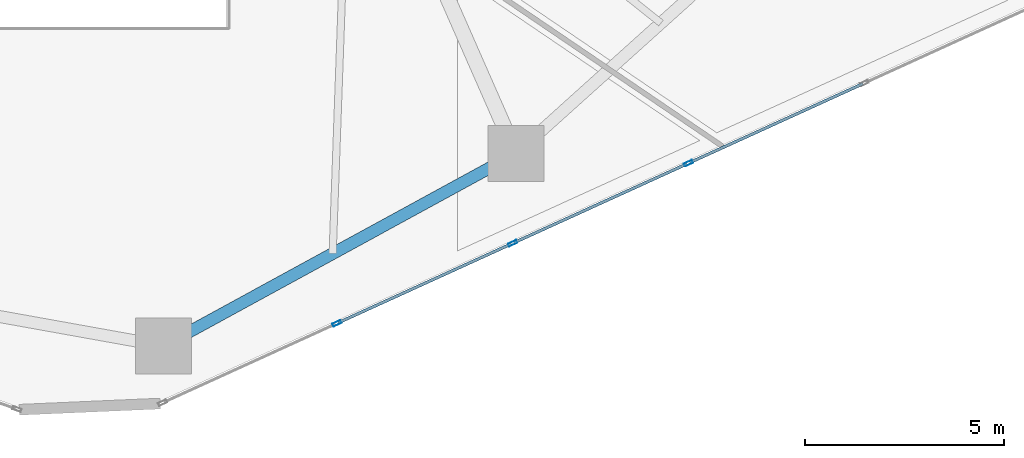
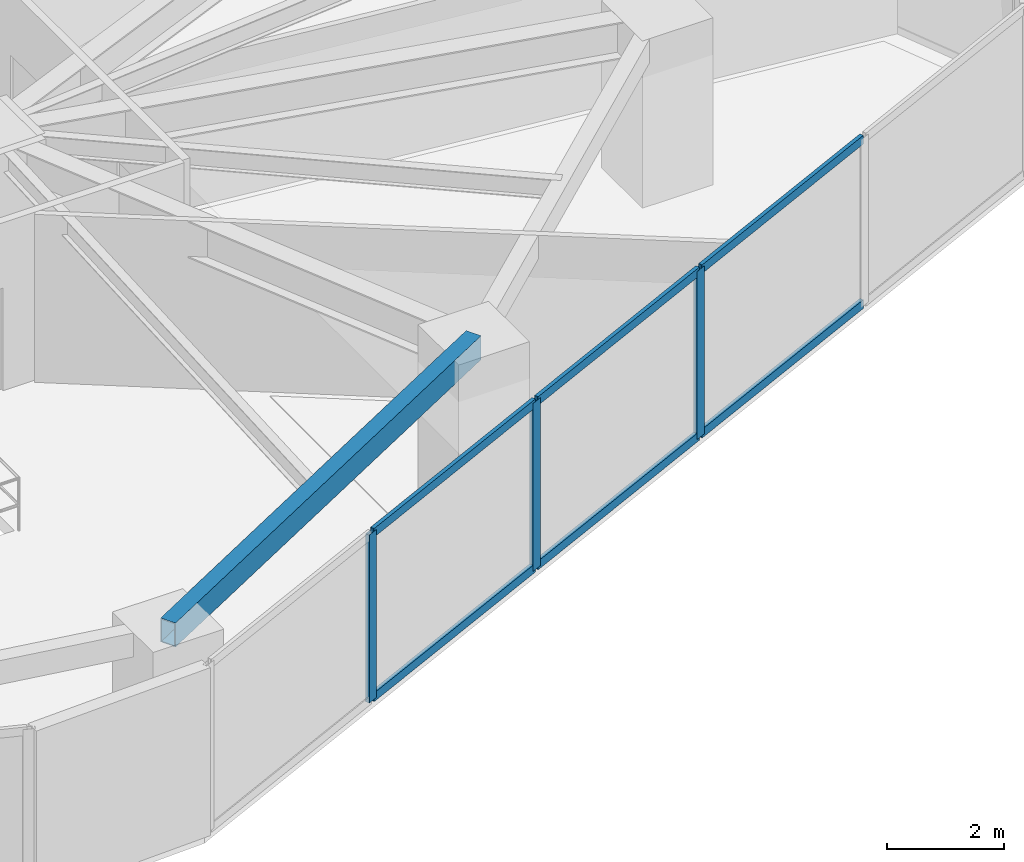
# One storey, part 9 of 24: 9 members, 1 beam, 1 element without a shape of its own.
"""IFC4 building model written with IfcOpenShell, lengths in metres."""

from ifc_helpers import new_model, si_unit, direction, frame, origin, origin_2d, place, context, subcontext, project, spatial, hollow_rectangle, extrude, source, transform, mapped, material, layer, layer_set, material_profile, profile_set, type_object, type_shapes, element, aggregate, save


model = new_model("IFC4")

# Units and contexts
model_context = context("Model", 3, precision=1e-05, world=origin(), true_north=direction((0.0, 1.0)))
body_context = subcontext(model_context, "Body", "Model", "MODEL_VIEW")
ifc_project = project(units=[si_unit("LENGTHUNIT", "METRE"), si_unit("AREAUNIT", "SQUARE_METRE"), si_unit("VOLUMEUNIT", "CUBIC_METRE"), si_unit("PLANEANGLEUNIT", "RADIAN"), si_unit("MASSUNIT", "GRAM", prefix="KILO")], contexts=[model_context])

# Site, building, storey
site_placement = place(None, origin())
site = spatial("IfcSite", under=ifc_project, at=site_placement, CompositionType="ELEMENT")
building_placement = place(site_placement, origin())
building = spatial("IfcBuilding", under=site, at=building_placement, Name="Talar Marvaseh", CompositionType="ELEMENT")
storey_placement = place(building_placement, frame((0.0, 0.0, 31.60009765625)))
storey = spatial("IfcBuildingStorey", under=building, at=storey_placement, Name="L07", CompositionType="ELEMENT", Elevation=31.60009765625)

# Beam
ifc_material_1 = material(Name="Steel S355", Category="steel")
ifc_material_profile_1 = material_profile(ifc_material_1, hollow_rectangle(XDim=0.300048828125, YDim=0.5, WallThickness=0.02001953125, at=origin_2d()), Name="RHS500x300x20")
ifc_profile_set_1 = profile_set([ifc_material_profile_1], Name="Steel S355")
beam_type = type_object("IfcBeamType", Name="Zone 1 Perimeter Spandrel Beam RHS500x300x20", PredefinedType="SPANDREL", material=ifc_profile_set_1)
beam_placement = place(storey_placement, frame((37.468017578125, 16.02099609375, 3.27001953125), z_axis=(-0.877792749602, -0.47904059196, 0.0), x_axis=(0.47904059196, -0.877792749602, 0.0)))
element("IfcBeam", 1, at=beam_placement, inside=storey, type_object=beam_type, Name="L07 Zone 1 Perimeter Spandrel Beam RHS500x300x20", PredefinedType="SPANDREL", context=body_context, shape_type="SweptSolid", body=[
    extrude(hollow_rectangle(XDim=0.300048828125, YDim=0.5, WallThickness=0.02001953125, at=origin_2d()), origin(), (0.0, 0.0, 1.0), 10.07421875),
])

# Curtain wall, members
ifc_material_2 = material(Name="Architectural Aluminium", Category="aluminium")
ifc_layer = layer(ifc_material_2, 0.219970703125)
ifc_layer_set = layer_set([ifc_layer], Name="Architectural Aluminium")
curtain_wall_type = type_object("IfcCurtainWallType", Name="Unitised Low-E Museum Curtain Wall Z1", PredefinedType="NOTDEFINED", material=ifc_layer_set)
curtain_wall_placement = place(storey_placement, origin())
curtain_wall = element("IfcCurtainWall", 2, at=curtain_wall_placement, inside=storey, type_object=curtain_wall_type, Name="L07 Unitised Low-E Museum Curtain Wall Z1", PredefinedType="NOTDEFINED")
ifc_material_profile_2 = material_profile(ifc_material_2, hollow_rectangle(XDim=0.080078125, YDim=0.219970703125, WallThickness=0.0048828125, at=origin_2d()), Name="RHS220x80x5")
ifc_profile_set_2 = profile_set([ifc_material_profile_2], Name="Architectural Aluminium")
member_type_1 = type_object("IfcMemberType", Name="Unitised Curtain Wall Heavy Mullion RHS220x80x5", PredefinedType="MULLION", material=ifc_profile_set_2)
shared_shape_1 = source(origin(), body_context, "Body", "SweptSolid", [
    extrude(hollow_rectangle(XDim=0.080078125, YDim=0.219970703125, WallThickness=0.0048828125, at=origin_2d()), origin(), (0.0, 0.0, 1.0), 3.52001953125),
])
type_shapes(member_type_1, [shared_shape_1])
member_1_placement = place(storey_placement, frame((41.795166015625, 15.779296875, 0.0), z_axis=(0.0, 0.0, 1.0), x_axis=(0.414554775033, -0.910024361486, 0.0)))
member_1 = element("IfcMember", 3, at=member_1_placement, type_object=member_type_1, Name="CW-Z1 mullion 3", PredefinedType="MULLION", context=body_context, shape_type="MappedRepresentation", body=[
    mapped(shared_shape_1, transform((0.0, 0.0, 0.0), x_axis=(1.0, 0.0, 0.0), y_axis=(0.0, 1.0, 0.0), z_axis=(0.0, 0.0, 1.0), scale=1.0)),
])
member_2_placement = place(storey_placement, frame((37.3857421875, 13.770751953125, 0.0), z_axis=(0.0, 0.0, 1.0), x_axis=(0.414554775033, -0.910024361486, 0.0)))
member_2 = element("IfcMember", 4, at=member_2_placement, type_object=member_type_1, Name="CW-Z1 mullion 4", PredefinedType="MULLION", context=body_context, shape_type="MappedRepresentation", body=[
    mapped(shared_shape_1, transform((0.0, 0.0, 0.0), x_axis=(1.0, 0.0, 0.0), y_axis=(0.0, 1.0, 0.0), z_axis=(0.0, 0.0, 1.0), scale=1.0)),
])
member_3_placement = place(storey_placement, frame((32.976318359375, 11.761962890625, 0.0), z_axis=(0.0, 0.0, 1.0), x_axis=(0.414554775033, -0.910024361486, 0.0)))
member_3 = element("IfcMember", 5, at=member_3_placement, type_object=member_type_1, Name="CW-Z1 mullion 5", PredefinedType="MULLION", context=body_context, shape_type="MappedRepresentation", body=[
    mapped(shared_shape_1, transform((0.0, 0.0, 0.0), x_axis=(1.0, 0.0, 0.0), y_axis=(0.0, 1.0, 0.0), z_axis=(0.0, 0.0, 1.0), scale=1.0)),
])
ifc_material_profile_3 = material_profile(ifc_material_2, hollow_rectangle(XDim=0.074951171875, YDim=0.179931640625, WallThickness=0.0048828125, at=origin_2d()), Name="RHS180x75x5")
ifc_profile_set_3 = profile_set([ifc_material_profile_3], Name="Architectural Aluminium")
member_type_2 = type_object("IfcMemberType", Name="Unitised Curtain Wall Transom RHS180x75x5", PredefinedType="USERDEFINED", material=ifc_profile_set_3)
shared_shape_2 = source(origin(), body_context, "Body", "SweptSolid", [
    extrude(hollow_rectangle(XDim=0.074951171875, YDim=0.179931640625, WallThickness=0.0048828125, at=origin_2d()), origin(), (0.0, 0.0, 1.0), 4.765380859375),
])
type_shapes(member_type_2, [shared_shape_2])
member_4_placement = place(storey_placement, frame((46.168212890625, 17.771484375, 0.037353515625), z_axis=(-0.910020524472, -0.414563197885, 0.0), x_axis=(0.414563197885, -0.910020524472, 0.0)))
member_4 = element("IfcMember", 6, at=member_4_placement, type_object=member_type_2, Name="CW-Z1 transom 2.1", ObjectType="TRANSOM", PredefinedType="USERDEFINED", context=body_context, shape_type="MappedRepresentation", body=[
    mapped(shared_shape_2, transform((0.0, 0.0, 0.0), x_axis=(1.0, 0.0, 0.0), y_axis=(0.0, 1.0, 0.0), z_axis=(0.0, 0.0, 1.0), scale=1.0)),
])
member_5_placement = place(storey_placement, frame((46.168212890625, 17.771484375, 3.482421875), z_axis=(-0.910020524472, -0.414563197885, 0.0), x_axis=(0.414563197885, -0.910020524472, 0.0)))
member_5 = element("IfcMember", 7, at=member_5_placement, type_object=member_type_2, Name="CW-Z1 transom 2.2", ObjectType="TRANSOM", PredefinedType="USERDEFINED", context=body_context, shape_type="MappedRepresentation", body=[
    mapped(shared_shape_2, transform((0.0, 0.0, 0.0), x_axis=(1.0, 0.0, 0.0), y_axis=(0.0, 1.0, 0.0), z_axis=(0.0, 0.0, 1.0), scale=1.0)),
])
member_6_placement = place(storey_placement, frame((41.7587890625, 15.7626953125, 0.037353515625), z_axis=(-0.910039851443, -0.414520770029, 0.0), x_axis=(0.414520770029, -0.910039851443, 0.0)))
member_6 = element("IfcMember", 8, at=member_6_placement, type_object=member_type_2, Name="CW-Z1 transom 3.1", ObjectType="TRANSOM", PredefinedType="USERDEFINED", context=body_context, shape_type="MappedRepresentation", body=[
    mapped(shared_shape_2, transform((0.0, 0.0, 0.0), x_axis=(1.0, 0.0, 0.0), y_axis=(0.0, 1.0, 0.0), z_axis=(0.0, 0.0, 1.0), scale=1.0)),
])
member_7_placement = place(storey_placement, frame((41.7587890625, 15.7626953125, 3.482421875), z_axis=(-0.910039851443, -0.414520770029, 0.0), x_axis=(0.414520770029, -0.910039851443, 0.0)))
member_7 = element("IfcMember", 9, at=member_7_placement, type_object=member_type_2, Name="CW-Z1 transom 3.2", ObjectType="TRANSOM", PredefinedType="USERDEFINED", context=body_context, shape_type="MappedRepresentation", body=[
    mapped(shared_shape_2, transform((0.0, 0.0, 0.0), x_axis=(1.0, 0.0, 0.0), y_axis=(0.0, 1.0, 0.0), z_axis=(0.0, 0.0, 1.0), scale=1.0)),
])
member_8_placement = place(storey_placement, frame((37.349365234375, 13.754150390625, 0.037353515625), z_axis=(-0.910020524472, -0.414563197885, 0.0), x_axis=(0.414563197885, -0.910020524472, 0.0)))
member_8 = element("IfcMember", 10, at=member_8_placement, type_object=member_type_2, Name="CW-Z1 transom 4.1", ObjectType="TRANSOM", PredefinedType="USERDEFINED", context=body_context, shape_type="MappedRepresentation", body=[
    mapped(shared_shape_2, transform((0.0, 0.0, 0.0), x_axis=(1.0, 0.0, 0.0), y_axis=(0.0, 1.0, 0.0), z_axis=(0.0, 0.0, 1.0), scale=1.0)),
])
member_9_placement = place(storey_placement, frame((37.349365234375, 13.754150390625, 3.482421875), z_axis=(-0.910020524472, -0.414563197885, 0.0), x_axis=(0.414563197885, -0.910020524472, 0.0)))
member_9 = element("IfcMember", 11, at=member_9_placement, type_object=member_type_2, Name="CW-Z1 transom 4.2", ObjectType="TRANSOM", PredefinedType="USERDEFINED", context=body_context, shape_type="MappedRepresentation", body=[
    mapped(shared_shape_2, transform((0.0, 0.0, 0.0), x_axis=(1.0, 0.0, 0.0), y_axis=(0.0, 1.0, 0.0), z_axis=(0.0, 0.0, 1.0), scale=1.0)),
])
aggregate(curtain_wall, [member_1, member_2, member_3, member_4, member_5, member_6, member_7, member_8, member_9])

save(model, "model.ifc")
